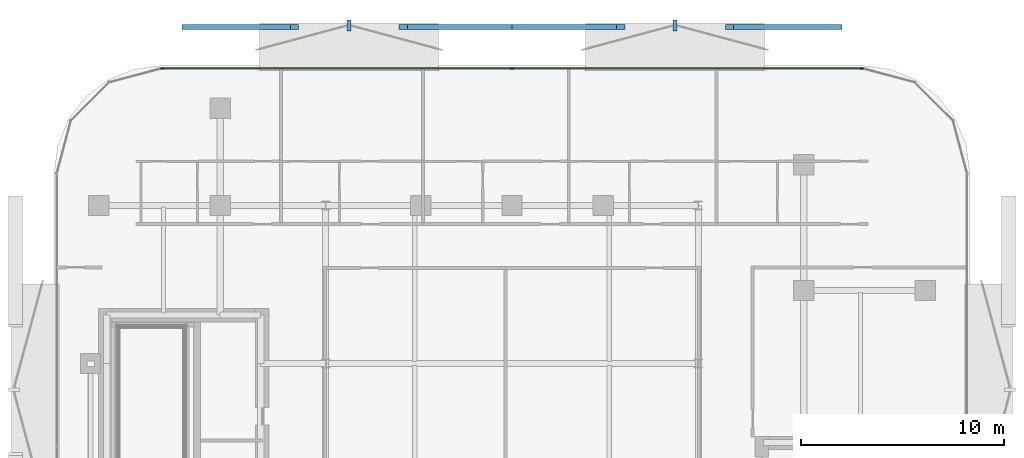
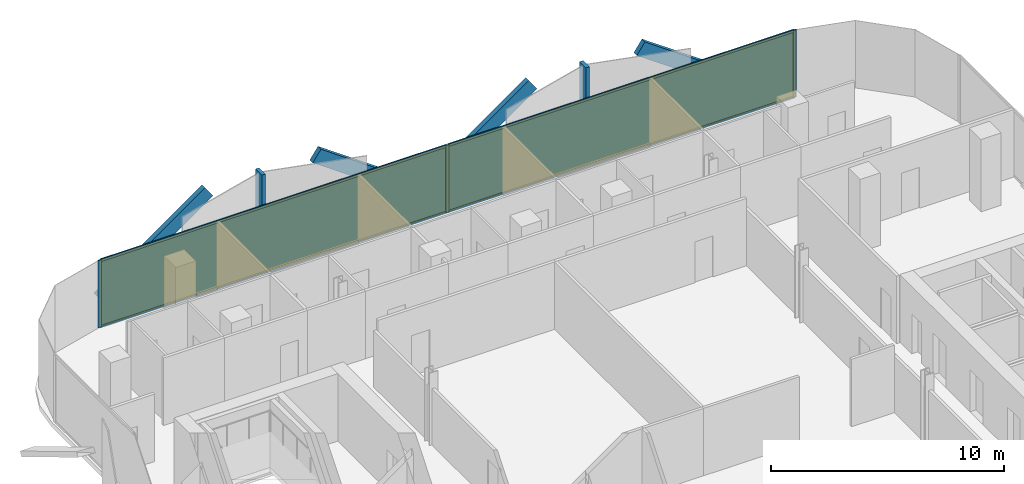
# One storey, part 12 of 17: 13 members, 2 plates, 1 curtain wall.
"""IFC4 building model written with IfcOpenShell, lengths in metres."""

from ifc_helpers import new_model, si_unit, direction, frame, frame_2d, origin, origin_2d, place, context, subcontext, project, spatial, rectangle, extrude, material, layer, layer_set, material_profile, profile_set, type_object, element, aggregate, save


model = new_model("IFC4")

# Units and contexts
model_context = context("Model", 3, precision=1e-05, world=origin(), true_north=direction((0.0, 1.0)))
body_context = subcontext(model_context, "Body", "Model", "MODEL_VIEW")
ifc_project = project(units=[si_unit("LENGTHUNIT", "METRE"), si_unit("AREAUNIT", "SQUARE_METRE"), si_unit("VOLUMEUNIT", "CUBIC_METRE"), si_unit("PLANEANGLEUNIT", "RADIAN"), si_unit("MASSUNIT", "GRAM", prefix="KILO")], contexts=[model_context])

# Member
ifc_material_1 = material(Name="Anodised Bronze Aluminium 6063-T6", Category="aluminium")
ifc_material_profile_1 = material_profile(ifc_material_1, rectangle(XDim=0.260009765625, YDim=0.699951171875, at=origin_2d()))
ifc_profile_set_1 = profile_set([ifc_material_profile_1], Name="Anodised Bronze Aluminium 6063-T6")
member_type_1 = type_object("IfcMemberType", Name="Bronze Diamond Solar-Screen Lattice Rib BDL-700", PredefinedType="MULLION", material=ifc_profile_set_1)
site_placement = place(None, origin())
building_placement = place(site_placement, origin())
storey_placement = place(building_placement, frame((0.0, 0.0, 195.39990234375)))
member_1_placement = place(storey_placement, frame((-16.0908203125, 27.39990234375, -0.1298828125), z_axis=(0.815960970702, 0.0, 0.578106992079), x_axis=(0.0, 1.0, 0.0)))
member_1 = element("IfcMember", 1, at=member_1_placement, type_object=member_type_1, Name="L45 Bronze Diamond Solar Screen Lattice Rib 301A", PredefinedType="MULLION", context=body_context, shape_type="SweptSolid", body=[
    extrude(rectangle(XDim=0.260009765625, YDim=0.699951171875, at=origin_2d()), origin(), (0.0, 0.0, 1.0), 6.5732421875),
])

member_2_placement = place(storey_placement, frame((0.0, 27.39990234375, -0.1298828125), z_axis=(-0.815960970702, 0.0, 0.578106992079), x_axis=(0.0, -1.0, 0.0)))
member_2 = element("IfcMember", 2, at=member_2_placement, type_object=member_type_1, Name="L45 Bronze Diamond Solar Screen Lattice Rib 301B", PredefinedType="MULLION", context=body_context, shape_type="SweptSolid", body=[
    extrude(rectangle(XDim=0.260009765625, YDim=0.699951171875, at=origin_2d()), origin(), (0.0, 0.0, 1.0), 6.5732421875),
])

member_3_placement = place(storey_placement, frame((0.0, 27.39990234375, -0.1298828125), z_axis=(0.815960970702, 0.0, 0.578106992079), x_axis=(0.0, 1.0, 0.0)))
member_3 = element("IfcMember", 3, at=member_3_placement, type_object=member_type_1, Name="L45 Bronze Diamond Solar Screen Lattice Rib 302A", PredefinedType="MULLION", context=body_context, shape_type="SweptSolid", body=[
    extrude(rectangle(XDim=0.260009765625, YDim=0.699951171875, at=origin_2d()), origin(), (0.0, 0.0, 1.0), 6.5732421875),
])

member_4_placement = place(storey_placement, frame((16.0908203125, 27.39990234375, -0.1298828125), z_axis=(-0.815960970702, 0.0, 0.578106992079), x_axis=(0.0, -1.0, 0.0)))
member_4 = element("IfcMember", 4, at=member_4_placement, type_object=member_type_1, Name="L45 Bronze Diamond Solar Screen Lattice Rib 302B", PredefinedType="MULLION", context=body_context, shape_type="SweptSolid", body=[
    extrude(rectangle(XDim=0.260009765625, YDim=0.699951171875, at=origin_2d()), origin(), (0.0, 0.0, 1.0), 6.5732421875),
])

ifc_material_2 = material(Name="Anodised Bronze Aluminium 6063-T6", Category="aluminium")
ifc_material_profile_2 = material_profile(ifc_material_2, rectangle(XDim=0.179931640625, YDim=0.5400390625, at=origin_2d()))
ifc_profile_set_2 = profile_set([ifc_material_profile_2], Name="Anodised Bronze Aluminium 6063-T6")
member_type_2 = type_object("IfcMemberType", Name="Bronze Solar-Screen Vertical Fold Fin BSF-540", PredefinedType="MULLION", material=ifc_profile_set_2)
member_5_placement = place(storey_placement, frame((-8.04541015625, 27.47998046875, -0.1298828125), z_axis=(0.0, 0.0, 1.0), x_axis=(1.0, 0.0, 0.0)))
member_5 = element("IfcMember", 5, at=member_5_placement, type_object=member_type_2, Name="L45 Bronze Solar Screen Vertical Fin 301", PredefinedType="MULLION", context=body_context, shape_type="SweptSolid", body=[
    extrude(rectangle(XDim=0.179931640625, YDim=0.5400390625, at=origin_2d()), origin(), (0.0, 0.0, 1.0), 3.800048828125),
])

member_6_placement = place(storey_placement, frame((8.04541015625, 27.47998046875, -0.1298828125), z_axis=(0.0, 0.0, 1.0), x_axis=(1.0, 0.0, 0.0)))
member_6 = element("IfcMember", 6, at=member_6_placement, type_object=member_type_2, Name="L45 Bronze Solar Screen Vertical Fin 302", PredefinedType="MULLION", context=body_context, shape_type="SweptSolid", body=[
    extrude(rectangle(XDim=0.179931640625, YDim=0.5400390625, at=origin_2d()), origin(), (0.0, 0.0, 1.0), 3.800048828125),
])

ifc_material_3 = material(Name="Anodised Bronze Aluminium 6063-T6", Category="aluminium")
ifc_material_profile_3 = material_profile(ifc_material_3, rectangle(XDim=0.06005859375, YDim=0.1650390625, at=origin_2d()))
ifc_profile_set_3 = profile_set([ifc_material_profile_3], Name="Anodised Bronze Aluminium 6063-T6")
member_type_3 = type_object("IfcMemberType", Name="CW-Z3 Mullion 60x165", PredefinedType="MULLION", material=ifc_profile_set_3)
member_7_placement = place(storey_placement, frame((-17.2607421875, 25.360107421875, 0.0), z_axis=(0.0, 0.0, 1.0), x_axis=(0.0, 1.0, 0.0)))
member_7 = element("IfcMember", 7, at=member_7_placement, type_object=member_type_3, Name="CW-Z3 mullion 1", PredefinedType="MULLION", context=body_context, shape_type="SweptSolid", body=[
    extrude(rectangle(XDim=0.06005859375, YDim=0.1650390625, at=origin_2d()), origin(), (0.0, 0.0, 1.0), 3.5400390625),
])

member_8_placement = place(storey_placement, frame((0.0, 25.360107421875, 0.0), z_axis=(0.0, 0.0, 1.0), x_axis=(0.0, 1.0, 0.0)))
member_8 = element("IfcMember", 8, at=member_8_placement, type_object=member_type_3, Name="CW-Z3 mullion 2", PredefinedType="MULLION", context=body_context, shape_type="SweptSolid", body=[
    extrude(rectangle(XDim=0.06005859375, YDim=0.1650390625, at=origin_2d()), origin(), (0.0, 0.0, 1.0), 3.5400390625),
])

member_9_placement = place(storey_placement, frame((17.2607421875, 25.360107421875, 0.0), z_axis=(0.0, 0.0, 1.0), x_axis=(0.0, 1.0, 0.0)))
member_9 = element("IfcMember", 9, at=member_9_placement, type_object=member_type_3, Name="CW-Z3 mullion 3", PredefinedType="MULLION", context=body_context, shape_type="SweptSolid", body=[
    extrude(rectangle(XDim=0.06005859375, YDim=0.1650390625, at=origin_2d()), origin(), (0.0, 0.0, 1.0), 3.5400390625),
])

ifc_material_4 = material(Name="Anodised Bronze Aluminium 6063-T6", Category="aluminium")
ifc_material_profile_4 = material_profile(ifc_material_4, rectangle(XDim=0.06005859375, YDim=0.1298828125, at=origin_2d()))
ifc_profile_set_4 = profile_set([ifc_material_profile_4], Name="Anodised Bronze Aluminium 6063-T6")
member_type_4 = type_object("IfcMemberType", Name="CW-Z3 Transom 60x130", PredefinedType="USERDEFINED", material=ifc_profile_set_4)
member_10_placement = place(storey_placement, frame((-17.230712890625, 25.360107421875, 0.030029296875), z_axis=(1.0, 0.0, 0.0), x_axis=(0.0, 1.0, 0.0)))
member_10 = element("IfcMember", 10, at=member_10_placement, type_object=member_type_4, Name="CW-Z3 transom 1.1", ObjectType="TRANSOM", PredefinedType="USERDEFINED", context=body_context, shape_type="SweptSolid", body=[
    extrude(rectangle(XDim=0.06005859375, YDim=0.1298828125, at=origin_2d()), origin(), (0.0, 0.0, 1.0), 17.20068359375),
])

member_11_placement = place(storey_placement, frame((-17.230712890625, 25.360107421875, 3.510009765625), z_axis=(1.0, 0.0, 0.0), x_axis=(0.0, 1.0, 0.0)))
member_11 = element("IfcMember", 11, at=member_11_placement, type_object=member_type_4, Name="CW-Z3 transom 1.2", ObjectType="TRANSOM", PredefinedType="USERDEFINED", context=body_context, shape_type="SweptSolid", body=[
    extrude(rectangle(XDim=0.06005859375, YDim=0.1298828125, at=origin_2d()), origin(), (0.0, 0.0, 1.0), 17.20068359375),
])

member_12_placement = place(storey_placement, frame((0.030029296875, 25.360107421875, 0.030029296875), z_axis=(1.0, 0.0, 0.0), x_axis=(0.0, 1.0, 0.0)))
member_12 = element("IfcMember", 12, at=member_12_placement, type_object=member_type_4, Name="CW-Z3 transom 2.1", ObjectType="TRANSOM", PredefinedType="USERDEFINED", context=body_context, shape_type="SweptSolid", body=[
    extrude(rectangle(XDim=0.06005859375, YDim=0.1298828125, at=origin_2d()), origin(), (0.0, 0.0, 1.0), 17.20068359375),
])

member_13_placement = place(storey_placement, frame((0.030029296875, 25.360107421875, 3.510009765625), z_axis=(1.0, 0.0, 0.0), x_axis=(0.0, 1.0, 0.0)))
member_13 = element("IfcMember", 13, at=member_13_placement, type_object=member_type_4, Name="CW-Z3 transom 2.2", ObjectType="TRANSOM", PredefinedType="USERDEFINED", context=body_context, shape_type="SweptSolid", body=[
    extrude(rectangle(XDim=0.06005859375, YDim=0.1298828125, at=origin_2d()), origin(), (0.0, 0.0, 1.0), 17.20068359375),
])

# Plate
ifc_material_5 = material(Name="Low-E Solar Control Laminated Glass", Category="glass")
ifc_layer_1 = layer(ifc_material_5, 0.030029296875, Name="Low-E Solar Control Laminated Glass")
ifc_layer_set_1 = layer_set([ifc_layer_1], Name="Low-E Solar Control Laminated Glass")
plate_type = type_object("IfcPlateType", Name="CW-Z3 Low-E Double Glazed Panel 30mm", PredefinedType="CURTAIN_PANEL", material=ifc_layer_set_1)
plate_1_placement = place(storey_placement, frame((-8.63037109375, 25.360107421875, 0.06005859375), z_axis=(0.0, 0.0, 1.0), x_axis=(1.0, 0.0, 0.0)))
plate_1 = element("IfcPlate", 14, at=plate_1_placement, type_object=plate_type, Name="CW-Z3 panel 1.1", PredefinedType="CURTAIN_PANEL", context=body_context, shape_type="SweptSolid", body=[
    extrude(rectangle(XDim=17.20068359375, YDim=0.030029296875, at=origin_2d()), origin(), (0.0, 0.0, 1.0), 3.419921875),
])

plate_2_placement = place(storey_placement, frame((8.63037109375, 25.360107421875, 0.06005859375), z_axis=(0.0, 0.0, 1.0), x_axis=(1.0, 0.0, 0.0)))
plate_2 = element("IfcPlate", 15, at=plate_2_placement, type_object=plate_type, Name="CW-Z3 panel 2.1", PredefinedType="CURTAIN_PANEL", context=body_context, shape_type="SweptSolid", body=[
    extrude(rectangle(XDim=17.20068359375, YDim=0.030029296875, at=origin_2d()), origin(), (0.0, 0.0, 1.0), 3.419921875),
])

# Site, building, storey
site = spatial("IfcSite", under=ifc_project, at=site_placement, CompositionType="ELEMENT")
building = spatial("IfcBuilding", under=site, at=building_placement, Name="Khairoan Windgate Tower", CompositionType="ELEMENT")
storey = spatial("IfcBuildingStorey", under=building, at=storey_placement, Name="L45", CompositionType="ELEMENT", Elevation=195.39990234375)

# Curtain wall
ifc_material_6 = material(Name="Anodised Bronze Aluminium 6063-T6", Category="aluminium")
ifc_layer_2 = layer(ifc_material_6, 0.1650390625, Name="Anodised Bronze Aluminium 6063-T6")
ifc_layer_set_2 = layer_set([ifc_layer_2], Name="Anodised Bronze Aluminium 6063-T6")
curtain_wall_type = type_object("IfcCurtainWallType", Name="Luxury Hotel Acoustic Curtain Wall CW-Z3", PredefinedType="NOTDEFINED", material=ifc_layer_set_2)
curtain_wall_placement = place(storey_placement, frame((-17.290771484375, 25.360107421875, 0.0), z_axis=(0.0, 0.0, 1.0), x_axis=(1.0, 0.0, 0.0)))
curtain_wall = element("IfcCurtainWall", 16, at=curtain_wall_placement, inside=storey, type_object=curtain_wall_type, Name="L45 Unitised Curtain Wall 9", PredefinedType="NOTDEFINED", context=body_context, shape_type="SweptSolid", body=[
    extrude(rectangle(XDim=34.58154296875, YDim=0.010009765625, at=frame_2d((17.290771484375, 0.0))), origin(), (0.0, 0.0, 1.0), 3.5400390625),
])

aggregate(curtain_wall, [member_7, member_8, member_9, member_10, member_11, plate_1, member_12, member_13, plate_2, member_1, member_2, member_5, member_3, member_4, member_6])

save(model, "model.ifc")
